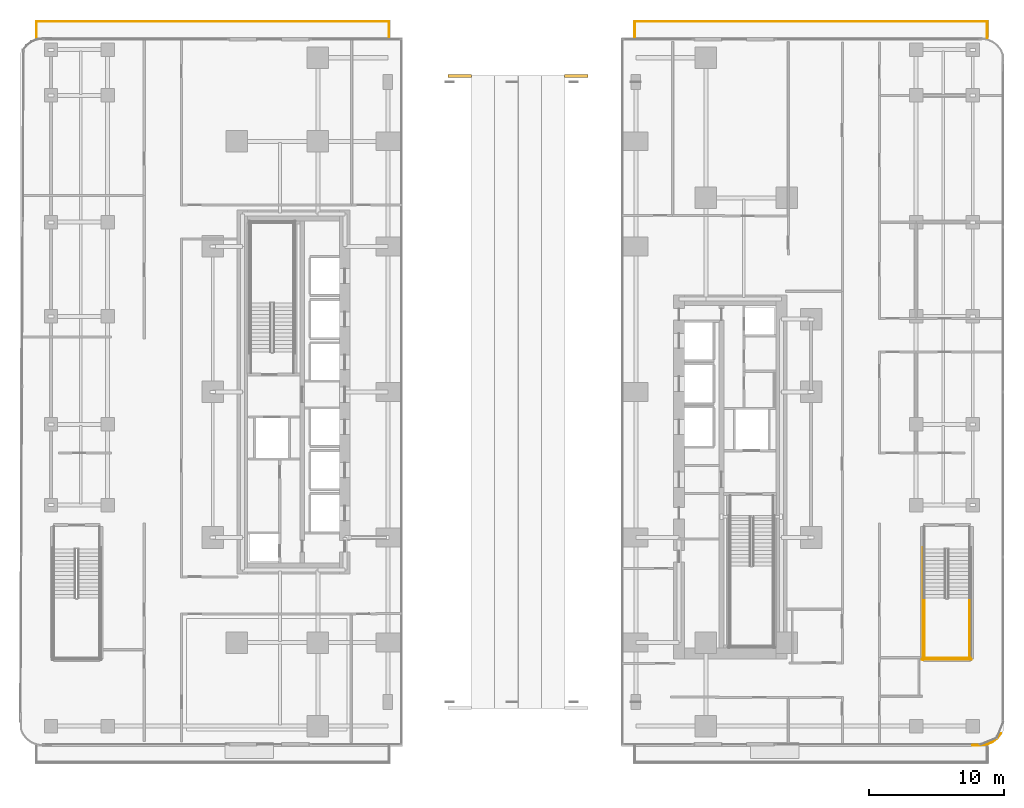
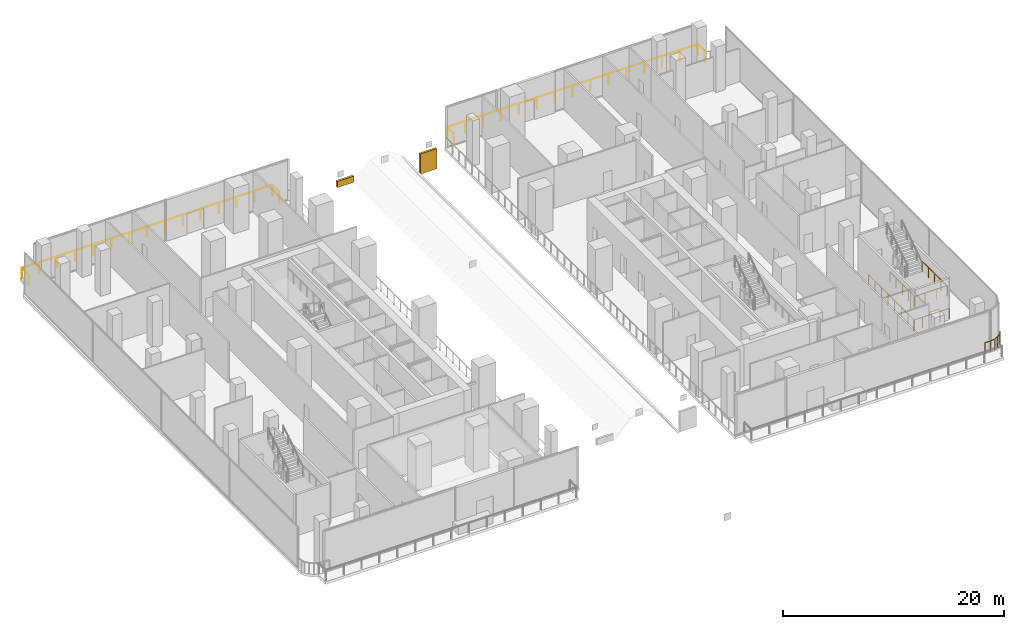
# One storey, part 30 of 32: 8 railings, 2 coverings.
"""IFC4 building model written with IfcOpenShell, lengths in metres."""

from ifc_helpers import new_model, si_unit, direction, frame, origin, origin_2d, place, context, subcontext, project, spatial, rectangle, circle, extrude, material, layer, layer_set, type_object, element, save


model = new_model("IFC4")

# Units and contexts
model_context = context("Model", 3, precision=1e-05, world=origin(), true_north=direction((0.0, 1.0)))
body_context = subcontext(model_context, "Body", "Model", "MODEL_VIEW")
ifc_project = project(units=[si_unit("LENGTHUNIT", "METRE"), si_unit("AREAUNIT", "SQUARE_METRE"), si_unit("VOLUMEUNIT", "CUBIC_METRE"), si_unit("PLANEANGLEUNIT", "RADIAN"), si_unit("MASSUNIT", "GRAM", prefix="KILO")], contexts=[model_context])

# Site, building, storey
site_placement = place(None, origin())
site = spatial("IfcSite", under=ifc_project, at=site_placement, CompositionType="ELEMENT")
building_placement = place(site_placement, origin())
building = spatial("IfcBuilding", under=site, at=building_placement, Name="Khairoan Windgate Tower", CompositionType="ELEMENT")
storey_placement = place(building_placement, frame((0.0, 0.0, 16.0)))
storey = spatial("IfcBuildingStorey", under=building, at=storey_placement, Name="L04", CompositionType="ELEMENT", Elevation=16.0)

# Railings
ifc_material_1 = material(Name="Anodised Bronze Aluminium 6063-T6", Category="aluminium")
railing_type_1 = type_object("IfcRailingType", Name="Aerodynamic Bronze-and-Glass Balustrade BAL-1200", PredefinedType="BALUSTRADE", material=ifc_material_1)
railing_1_placement = place(storey_placement, frame((-35.280029296875, 26.25, 0.0)))
element("IfcRailing", 1, at=railing_1_placement, inside=storey, type_object=railing_type_1, Name="North-West Riverfront Sky Terrace Balustrade", PredefinedType="BALUSTRADE", context=body_context, shape_type="SweptSolid", body=[
    extrude(circle(Radius=0.02392578125, at=origin_2d()), frame((0.0, 0.0, 1.17578125), z_axis=(0.0, 1.0, 0.0), x_axis=(-1.0, 0.0, 0.0)), (0.0, 0.0, 1.0), 1.22998046875),
    extrude(circle(Radius=0.02392578125, at=origin_2d()), frame((0.0, 1.22998046875, 1.17578125), z_axis=(1.0, 0.0, 0.0), x_axis=(0.0, 1.0, 0.0)), (0.0, 0.0, 1.0), 26.159912109375),
    extrude(circle(Radius=0.02392578125, at=origin_2d()), frame((26.159912109375, 1.22998046875, 1.17578125), z_axis=(0.0, -1.0, 0.0), x_axis=(1.0, 0.0, 0.0)), (0.0, 0.0, 1.0), 1.22998046875),
    extrude(circle(Radius=0.02099609375, at=origin_2d()), origin(), (0.0, 0.0, 1.0), 1.15185546875),
    extrude(circle(Radius=0.02099609375, at=origin_2d()), frame((0.0, 1.22998046875, 0.0)), (0.0, 0.0, 1.0), 1.15185546875),
    extrude(circle(Radius=0.02099609375, at=origin_2d()), frame((1.86865234375, 1.22998046875, 0.0)), (0.0, 0.0, 1.0), 1.15185546875),
    extrude(circle(Radius=0.02099609375, at=origin_2d()), frame((3.737060546875, 1.22998046875, 0.0)), (0.0, 0.0, 1.0), 1.15185546875),
    extrude(circle(Radius=0.02099609375, at=origin_2d()), frame((5.605712890625, 1.22998046875, 0.0)), (0.0, 0.0, 1.0), 1.15185546875),
    extrude(circle(Radius=0.02099609375, at=origin_2d()), frame((7.474365234375, 1.22998046875, 0.0)), (0.0, 0.0, 1.0), 1.15185546875),
    extrude(circle(Radius=0.02099609375, at=origin_2d()), frame((9.3427734375, 1.22998046875, 0.0)), (0.0, 0.0, 1.0), 1.15185546875),
    extrude(circle(Radius=0.02099609375, at=origin_2d()), frame((11.21142578125, 1.22998046875, 0.0)), (0.0, 0.0, 1.0), 1.15185546875),
    extrude(circle(Radius=0.02099609375, at=origin_2d()), frame((13.080078125, 1.22998046875, 0.0)), (0.0, 0.0, 1.0), 1.15185546875),
    extrude(circle(Radius=0.02099609375, at=origin_2d()), frame((14.948486328125, 1.22998046875, 0.0)), (0.0, 0.0, 1.0), 1.15185546875),
    extrude(circle(Radius=0.02099609375, at=origin_2d()), frame((16.817138671875, 1.22998046875, 0.0)), (0.0, 0.0, 1.0), 1.15185546875),
    extrude(circle(Radius=0.02099609375, at=origin_2d()), frame((18.685546875, 1.22998046875, 0.0)), (0.0, 0.0, 1.0), 1.15185546875),
    extrude(circle(Radius=0.02099609375, at=origin_2d()), frame((20.55419921875, 1.22998046875, 0.0)), (0.0, 0.0, 1.0), 1.15185546875),
    extrude(circle(Radius=0.02099609375, at=origin_2d()), frame((22.4228515625, 1.22998046875, 0.0)), (0.0, 0.0, 1.0), 1.15185546875),
    extrude(circle(Radius=0.02099609375, at=origin_2d()), frame((24.291259765625, 1.22998046875, 0.0)), (0.0, 0.0, 1.0), 1.15185546875),
    extrude(circle(Radius=0.02099609375, at=origin_2d()), frame((26.159912109375, 1.22998046875, 0.0)), (0.0, 0.0, 1.0), 1.15185546875),
    extrude(circle(Radius=0.02099609375, at=origin_2d()), frame((26.159912109375, 0.0, 0.0)), (0.0, 0.0, 1.0), 1.15185546875),
])
railing_2_placement = place(storey_placement, frame((9.1201171875, 26.25, 0.0)))
element("IfcRailing", 2, at=railing_2_placement, inside=storey, type_object=railing_type_1, Name="North-East Riverfront Sky Terrace Balustrade", PredefinedType="BALUSTRADE", context=body_context, shape_type="SweptSolid", body=[
    extrude(circle(Radius=0.02392578125, at=origin_2d()), frame((0.0, 0.0, 1.17578125), z_axis=(0.0, 1.0, 0.0), x_axis=(-1.0, 0.0, 0.0)), (0.0, 0.0, 1.0), 1.22998046875),
    extrude(circle(Radius=0.02392578125, at=origin_2d()), frame((0.0, 1.22998046875, 1.17578125), z_axis=(1.0, 0.0, 0.0), x_axis=(0.0, 1.0, 0.0)), (0.0, 0.0, 1.0), 26.159912109375),
    extrude(circle(Radius=0.02392578125, at=origin_2d()), frame((26.159912109375, 1.22998046875, 1.17578125), z_axis=(0.0, -1.0, 0.0), x_axis=(1.0, 0.0, 0.0)), (0.0, 0.0, 1.0), 1.22998046875),
    extrude(circle(Radius=0.02099609375, at=origin_2d()), origin(), (0.0, 0.0, 1.0), 1.15185546875),
    extrude(circle(Radius=0.02099609375, at=origin_2d()), frame((0.0, 1.22998046875, 0.0)), (0.0, 0.0, 1.0), 1.15185546875),
    extrude(circle(Radius=0.02099609375, at=origin_2d()), frame((1.86865234375, 1.22998046875, 0.0)), (0.0, 0.0, 1.0), 1.15185546875),
    extrude(circle(Radius=0.02099609375, at=origin_2d()), frame((3.737060546875, 1.22998046875, 0.0)), (0.0, 0.0, 1.0), 1.15185546875),
    extrude(circle(Radius=0.02099609375, at=origin_2d()), frame((5.605712890625, 1.22998046875, 0.0)), (0.0, 0.0, 1.0), 1.15185546875),
    extrude(circle(Radius=0.02099609375, at=origin_2d()), frame((7.474365234375, 1.22998046875, 0.0)), (0.0, 0.0, 1.0), 1.15185546875),
    extrude(circle(Radius=0.02099609375, at=origin_2d()), frame((9.3427734375, 1.22998046875, 0.0)), (0.0, 0.0, 1.0), 1.15185546875),
    extrude(circle(Radius=0.02099609375, at=origin_2d()), frame((11.21142578125, 1.22998046875, 0.0)), (0.0, 0.0, 1.0), 1.15185546875),
    extrude(circle(Radius=0.02099609375, at=origin_2d()), frame((13.080078125, 1.22998046875, 0.0)), (0.0, 0.0, 1.0), 1.15185546875),
    extrude(circle(Radius=0.02099609375, at=origin_2d()), frame((14.948486328125, 1.22998046875, 0.0)), (0.0, 0.0, 1.0), 1.15185546875),
    extrude(circle(Radius=0.02099609375, at=origin_2d()), frame((16.817138671875, 1.22998046875, 0.0)), (0.0, 0.0, 1.0), 1.15185546875),
    extrude(circle(Radius=0.02099609375, at=origin_2d()), frame((18.685546875, 1.22998046875, 0.0)), (0.0, 0.0, 1.0), 1.15185546875),
    extrude(circle(Radius=0.02099609375, at=origin_2d()), frame((20.55419921875, 1.22998046875, 0.0)), (0.0, 0.0, 1.0), 1.15185546875),
    extrude(circle(Radius=0.02099609375, at=origin_2d()), frame((22.4228515625, 1.22998046875, 0.0)), (0.0, 0.0, 1.0), 1.15185546875),
    extrude(circle(Radius=0.02099609375, at=origin_2d()), frame((24.291259765625, 1.22998046875, 0.0)), (0.0, 0.0, 1.0), 1.15185546875),
    extrude(circle(Radius=0.02099609375, at=origin_2d()), frame((26.159912109375, 1.22998046875, 0.0)), (0.0, 0.0, 1.0), 1.15185546875),
    extrude(circle(Radius=0.02099609375, at=origin_2d()), frame((26.159912109375, 0.0, 0.0)), (0.0, 0.0, 1.0), 1.15185546875),
])
railing_3_placement = place(storey_placement, frame((36.288818359375, -25.359619140625, 0.0)))
element("IfcRailing", 3, at=railing_3_placement, inside=storey, type_object=railing_type_1, Name="L04 ES Corner Edge Guardrail", PredefinedType="BALUSTRADE", context=body_context, shape_type="SweptSolid", body=[
    extrude(circle(Radius=0.02392578125, at=origin_2d()), frame((0.0, 0.0, 1.17578125), z_axis=(-0.608579962418, -0.793492551536, 0.0), x_axis=(0.793492551536, -0.608579962418, 0.0)), (0.0, 0.0, 1.0), 0.448974609375),
    extrude(circle(Radius=0.02392578125, at=origin_2d()), frame((-0.273193359375, -0.356201171875, 1.17578125), z_axis=(-0.793290991681, -0.608842674685, 0.0), x_axis=(0.608842674685, -0.793290991681, 0.0)), (0.0, 0.0, 1.0), 0.44873046875),
    extrude(circle(Radius=0.02392578125, at=origin_2d()), frame((-0.629150390625, -0.62939453125, 1.17578125), z_axis=(-0.923751502528, -0.382992377962, 0.0), x_axis=(0.382992377962, -0.923751502528, 0.0)), (0.0, 0.0, 1.0), 0.44873046875),
    extrude(circle(Radius=0.02392578125, at=origin_2d()), frame((-1.043701171875, -0.80126953125, 1.17578125), z_axis=(-0.99149816219, -0.130120691567, 0.0), x_axis=(0.130120691567, -0.99149816219, 0.0)), (0.0, 0.0, 1.0), 0.4541015625),
    extrude(circle(Radius=0.02392578125, at=origin_2d()), frame((-1.493896484375, -0.8603515625, 1.17578125), z_axis=(-1.0, 0.0, 0.0), x_axis=(0.0, -1.0, 0.0)), (0.0, 0.0, 1.0), 0.594970703125),
    extrude(circle(Radius=0.02099609375, at=origin_2d()), origin(), (0.0, 0.0, 1.0), 1.15185546875),
    extrude(circle(Radius=0.02099609375, at=origin_2d()), frame((-0.273193359375, -0.356201171875, 0.0)), (0.0, 0.0, 1.0), 1.15185546875),
    extrude(circle(Radius=0.02099609375, at=origin_2d()), frame((-0.629150390625, -0.62939453125, 0.0)), (0.0, 0.0, 1.0), 1.15185546875),
    extrude(circle(Radius=0.02099609375, at=origin_2d()), frame((-1.043701171875, -0.80126953125, 0.0)), (0.0, 0.0, 1.0), 1.15185546875),
    extrude(circle(Radius=0.02099609375, at=origin_2d()), frame((-1.493896484375, -0.8603515625, 0.0)), (0.0, 0.0, 1.0), 1.15185546875),
    extrude(circle(Radius=0.02099609375, at=origin_2d()), frame((-2.0888671875, -0.8603515625, 0.0)), (0.0, 0.0, 1.0), 1.15185546875),
])

# Coverings
ifc_material_2 = material(Name="Anodised Bronze Aluminium 6063-T6", Category="aluminium")
ifc_layer = layer(ifc_material_2, 0.179931640625, Name="Anodised Bronze Aluminium 6063-T6")
ifc_layer_set = layer_set([ifc_layer], Name="Anodised Bronze Aluminium 6063-T6")
covering_type = type_object("IfcCoveringType", Name="Sculpted Parabolic Arch and Crown Cladding", PredefinedType="CLADDING", material=ifc_layer_set)
covering_1_placement = place(storey_placement, frame((-3.875, 23.449951171875, 1.8564453125), z_axis=(0.0, 0.0, 1.0), x_axis=(1.0, 0.0, 0.0)))
element("IfcCovering", 4, at=covering_1_placement, inside=storey, type_object=covering_type, Name="Upper Parabolic Arch Tympanum Cladding N-03", PredefinedType="CLADDING", context=body_context, shape_type="SweptSolid", body=[
    extrude(rectangle(XDim=1.72998046875, YDim=0.239990234375, at=origin_2d()), origin(), (0.0, 0.0, 1.0), 0.68310546875),
])
covering_2_placement = place(storey_placement, frame((4.77490234375, 23.449951171875, 0.314453125), z_axis=(0.0, 0.0, 1.0), x_axis=(1.0, 0.0, 0.0)))
element("IfcCovering", 5, at=covering_2_placement, inside=storey, type_object=covering_type, Name="Upper Parabolic Arch Tympanum Cladding N-08", PredefinedType="CLADDING", context=body_context, shape_type="SweptSolid", body=[
    extrude(rectangle(XDim=1.72998046875, YDim=0.239990234375, at=origin_2d()), origin(), (0.0, 0.0, 1.0), 2.22607421875),
])

# Railings
ifc_material_3 = material(Name="Steel S355", Category="steel")
railing_type_2 = type_object("IfcRailingType", Name="Stairwell Safety Guardrail SGR-1150", PredefinedType="GUARDRAIL", material=ifc_material_3)
for number, where, name in (
    (6, (30.60009765625, -15.300048828125, 2.5), "L04 ST3 stair guard 3"),
    (7, (33.969970703125, -15.300048828125, 2.5), "L04 ST3 stair guard 4"),
):
    element("IfcRailing", number, at=place(storey_placement, frame(where)), inside=storey, type_object=railing_type_2, Name=name, PredefinedType="GUARDRAIL", context=body_context, shape_type="SweptSolid", body=[
        extrude(circle(Radius=0.02392578125, at=origin_2d()), frame((0.0, 0.0, 1.1259765625), z_axis=(0.0, -1.0, 0.0), x_axis=(1.0, 0.0, 0.0)), (0.0, 0.0, 1.0), 4.5),
        extrude(circle(Radius=0.02099609375, at=origin_2d()), origin(), (0.0, 0.0, 1.0), 1.101806640625),
        extrude(circle(Radius=0.02099609375, at=origin_2d()), frame((0.0, -1.125, 0.0)), (0.0, 0.0, 1.0), 1.101806640625),
        extrude(circle(Radius=0.02099609375, at=origin_2d()), frame((0.0, -2.25, 0.0)), (0.0, 0.0, 1.0), 1.101806640625),
        extrude(circle(Radius=0.02099609375, at=origin_2d()), frame((0.0, -3.375, 0.0)), (0.0, 0.0, 1.0), 1.101806640625),
        extrude(circle(Radius=0.02099609375, at=origin_2d()), frame((0.0, -4.5, 0.0)), (0.0, 0.0, 1.0), 1.101806640625),
    ])
railing_4_placement = place(storey_placement, frame((30.550048828125, -19.75, 2.5)))
element("IfcRailing", 8, at=railing_4_placement, inside=storey, type_object=railing_type_2, Name="L04 ST3 stair guard 5", PredefinedType="GUARDRAIL", context=body_context, shape_type="SweptSolid", body=[
    extrude(circle(Radius=0.02392578125, at=origin_2d()), frame((0.0, 0.0, 1.1259765625), z_axis=(1.0, 0.0, 0.0), x_axis=(0.0, 1.0, 0.0)), (0.0, 0.0, 1.0), 3.469970703125),
    extrude(circle(Radius=0.02099609375, at=origin_2d()), origin(), (0.0, 0.0, 1.0), 1.101806640625),
    extrude(circle(Radius=0.02099609375, at=origin_2d()), frame((1.15673828125, 0.0, 0.0)), (0.0, 0.0, 1.0), 1.101806640625),
    extrude(circle(Radius=0.02099609375, at=origin_2d()), frame((2.313232421875, 0.0, 0.0)), (0.0, 0.0, 1.0), 1.101806640625),
    extrude(circle(Radius=0.02099609375, at=origin_2d()), frame((3.469970703125, 0.0, 0.0)), (0.0, 0.0, 1.0), 1.101806640625),
])
railing_5_placement = place(storey_placement, frame((30.5, -11.56005859375, 0.0)))
element("IfcRailing", 9, at=railing_5_placement, inside=storey, type_object=railing_type_2, Name="L04 ST3 stair guard 10", PredefinedType="GUARDRAIL", context=body_context, shape_type="SweptSolid", body=[
    extrude(circle(Radius=0.02392578125, at=origin_2d()), frame((0.0, 0.0, 1.1259765625), z_axis=(0.0, -1.0, 0.0), x_axis=(1.0, 0.0, 0.0)), (0.0, 0.0, 1.0), 8.33984375),
    extrude(circle(Radius=0.02099609375, at=origin_2d()), origin(), (0.0, 0.0, 1.0), 1.101806640625),
    extrude(circle(Radius=0.02099609375, at=origin_2d()), frame((0.0, -1.19140625, 0.0)), (0.0, 0.0, 1.0), 1.101806640625),
    extrude(circle(Radius=0.02099609375, at=origin_2d()), frame((0.0, -2.3828125, 0.0)), (0.0, 0.0, 1.0), 1.101806640625),
    extrude(circle(Radius=0.02099609375, at=origin_2d()), frame((0.0, -3.57421875, 0.0)), (0.0, 0.0, 1.0), 1.101806640625),
    extrude(circle(Radius=0.02099609375, at=origin_2d()), frame((0.0, -4.765625, 0.0)), (0.0, 0.0, 1.0), 1.101806640625),
    extrude(circle(Radius=0.02099609375, at=origin_2d()), frame((0.0, -5.95703125, 0.0)), (0.0, 0.0, 1.0), 1.101806640625),
    extrude(circle(Radius=0.02099609375, at=origin_2d()), frame((0.0, -7.1484375, 0.0)), (0.0, 0.0, 1.0), 1.101806640625),
    extrude(circle(Radius=0.02099609375, at=origin_2d()), frame((0.0, -8.33984375, 0.0)), (0.0, 0.0, 1.0), 1.101806640625),
])
railing_6_placement = place(storey_placement, frame((30.449951171875, -19.85009765625, 0.0)))
element("IfcRailing", 10, at=railing_6_placement, inside=storey, type_object=railing_type_2, Name="L04 ST3 stair guard 12", PredefinedType="GUARDRAIL", context=body_context, shape_type="SweptSolid", body=[
    extrude(circle(Radius=0.02392578125, at=origin_2d()), frame((0.0, 0.0, 1.1259765625), z_axis=(1.0, 0.0, 0.0), x_axis=(0.0, 1.0, 0.0)), (0.0, 0.0, 1.0), 3.670166015625),
    extrude(circle(Radius=0.02099609375, at=origin_2d()), origin(), (0.0, 0.0, 1.0), 1.101806640625),
    extrude(circle(Radius=0.02099609375, at=origin_2d()), frame((0.91748046875, 0.0, 0.0)), (0.0, 0.0, 1.0), 1.101806640625),
    extrude(circle(Radius=0.02099609375, at=origin_2d()), frame((1.8349609375, 0.0, 0.0)), (0.0, 0.0, 1.0), 1.101806640625),
    extrude(circle(Radius=0.02099609375, at=origin_2d()), frame((2.752685546875, 0.0, 0.0)), (0.0, 0.0, 1.0), 1.101806640625),
    extrude(circle(Radius=0.02099609375, at=origin_2d()), frame((3.670166015625, 0.0, 0.0)), (0.0, 0.0, 1.0), 1.101806640625),
])

save(model, "model.ifc")
